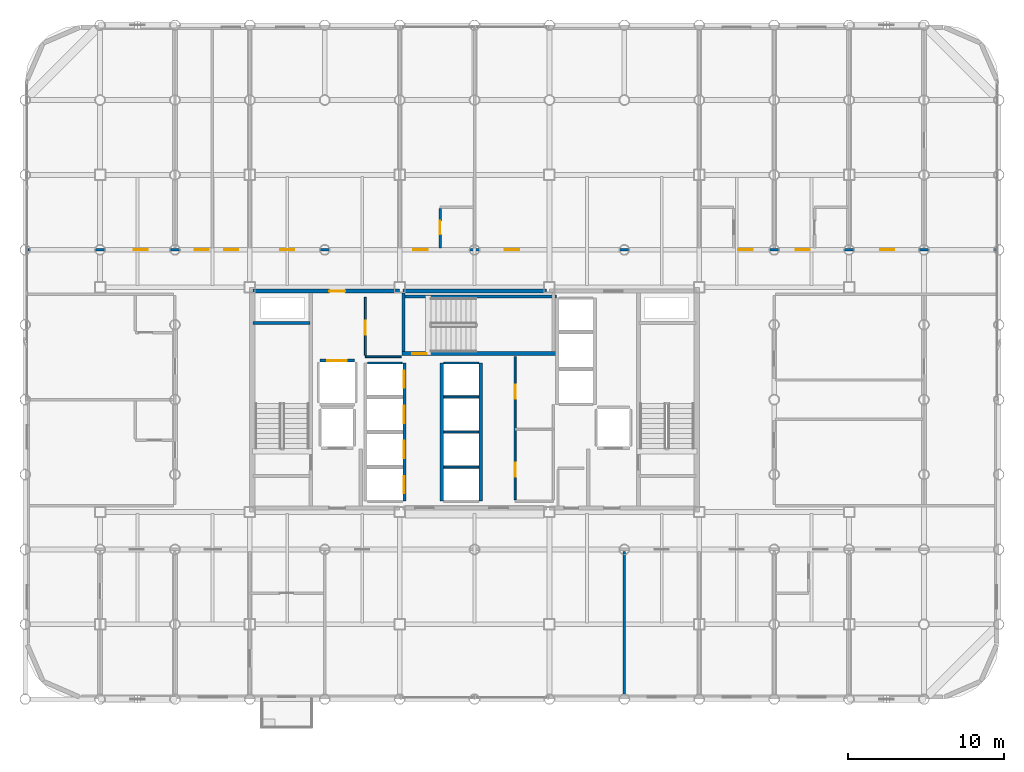
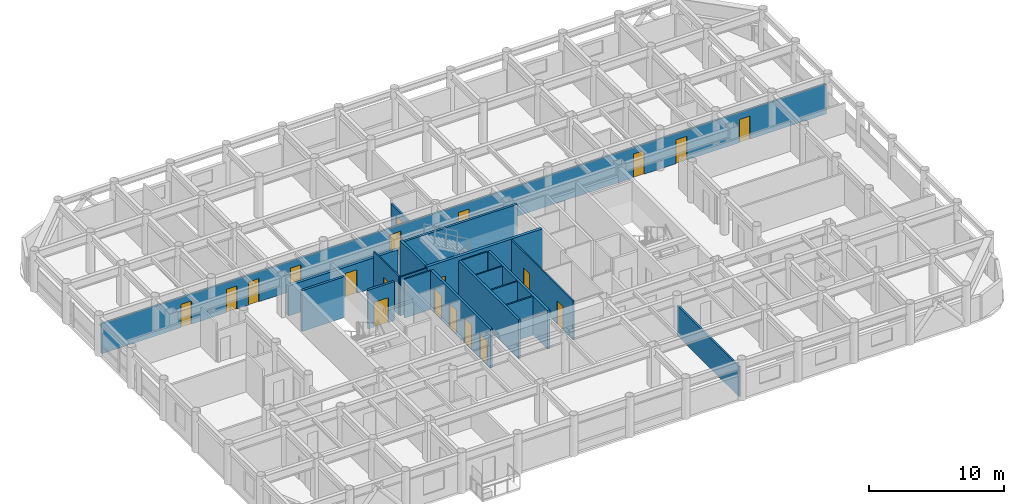
# One storey, part 18 of 22: 21 walls, 20 doors, 20 openings.
"""IFC4 building model written with IfcOpenShell, lengths in metres."""

from ifc_helpers import new_model, si_unit, direction, frame, frame_2d, origin, place, context, subcontext, project, spatial, rectangle, extrude, material, layer, layer_set, type_object, element, fill, save


model = new_model("IFC4")

# Units and contexts
model_context = context("Model", 3, precision=1e-05, world=origin(), true_north=direction((0.0, 1.0)))
body_context = subcontext(model_context, "Body", "Model", "MODEL_VIEW")
ifc_project = project(units=[si_unit("LENGTHUNIT", "METRE"), si_unit("AREAUNIT", "SQUARE_METRE"), si_unit("VOLUMEUNIT", "CUBIC_METRE"), si_unit("PLANEANGLEUNIT", "RADIAN"), si_unit("MASSUNIT", "GRAM", prefix="KILO")], contexts=[model_context])

# Site, building, storey
site_placement = place(None, origin())
site = spatial("IfcSite", under=ifc_project, at=site_placement, CompositionType="ELEMENT")
building_placement = place(site_placement, origin())
building = spatial("IfcBuilding", under=site, at=building_placement, Name="Kallvorn Hotel Tower", CompositionType="ELEMENT")
storey_placement = place(building_placement, frame((0.0, 0.0, 102.60009765625)))
storey = spatial("IfcBuildingStorey", under=building, at=storey_placement, Name="L24", CompositionType="ELEMENT", Elevation=102.60009765625)

# Wall, openings, doors
ifc_material_1 = material(Name="Fire-rated double-layer acoustic gypsum drywall EI 60")
ifc_layer_1 = layer(ifc_material_1, 0.159912109375)
ifc_layer_set_1 = layer_set([ifc_layer_1], Name="WL_DEMISE_160")
wall_type_1 = type_object("IfcWallType", Name="WL_DEMISE_160", PredefinedType="PARTITIONING", material=ifc_layer_set_1)
wall_1_placement = place(storey_placement, frame((-28.6298828125, 9.60009765625, 0.0), z_axis=(0.0, 0.0, 1.0), x_axis=(1.0, 0.0, 0.0)))
wall_1 = element("IfcWall", 1, at=wall_1_placement, inside=storey, type_object=wall_type_1, Name="L24 Suite 2405 Standard King Room Partition", PredefinedType="PARTITIONING", context=body_context, shape_type="SweptSolid", body=[
    extrude(rectangle(XDim=62.059814453125, YDim=0.159912109375, at=frame_2d((31.02978515625, 0.0))), origin(), (0.0, 0.0, 1.0), 2.719970703125),
])
opening_1_placement = place(wall_1_placement, frame((6.799560546875, 0.0, 0.0)))
opening_1 = element("IfcOpeningElement", 2, at=opening_1_placement, cuts=wall_1, Name="Opening SVD1", PredefinedType="OPENING", context=body_context, shape_type="SweptSolid", body=[
    extrude(rectangle(XDim=0.89990234375, YDim=2.10009765625, at=frame_2d((0.449951171875, 1.050048828125))), frame((0.0, 0.094970703125, 0.0), z_axis=(0.0, -1.0, 0.0), x_axis=(1.0, 0.0, 0.0)), (0.0, 0.0, 1.0), 0.18994140625),
])
opening_2_placement = place(wall_1_placement, frame((54.6201171875, 0.0, 0.0)))
opening_2 = element("IfcOpeningElement", 3, at=opening_2_placement, cuts=wall_1, Name="Opening SVD1", PredefinedType="OPENING", context=body_context, shape_type="SweptSolid", body=[
    extrude(rectangle(XDim=0.89990234375, YDim=2.10009765625, at=frame_2d((0.449951171875, 1.050048828125))), frame((0.0, 0.094970703125, 0.0), z_axis=(0.0, -1.0, 0.0), x_axis=(1.0, 0.0, 0.0)), (0.0, 0.0, 1.0), 0.18994140625),
])
opening_3_placement = place(wall_1_placement, frame((10.68994140625, 0.0, 0.0)))
opening_3 = element("IfcOpeningElement", 4, at=opening_3_placement, cuts=wall_1, Name="Opening SVD1", PredefinedType="OPENING", context=body_context, shape_type="SweptSolid", body=[
    extrude(rectangle(XDim=0.89990234375, YDim=2.10009765625, at=frame_2d((0.449951171875, 1.050048828125))), frame((0.0, 0.094970703125, 0.0), z_axis=(0.0, -1.0, 0.0), x_axis=(1.0, 0.0, 0.0)), (0.0, 0.0, 1.0), 0.18994140625),
])
opening_4_placement = place(wall_1_placement, frame((12.580078125, 0.0, 0.0)))
opening_4 = element("IfcOpeningElement", 5, at=opening_4_placement, cuts=wall_1, Name="Opening SVD1", PredefinedType="OPENING", context=body_context, shape_type="SweptSolid", body=[
    extrude(rectangle(XDim=0.89990234375, YDim=2.10009765625, at=frame_2d((0.449951171875, 1.050048828125))), frame((0.0, 0.094970703125, 0.0), z_axis=(0.0, -1.0, 0.0), x_axis=(1.0, 0.0, 0.0)), (0.0, 0.0, 1.0), 0.18994140625),
])
opening_5_placement = place(wall_1_placement, frame((16.179931640625, 0.0, 0.0)))
opening_5 = element("IfcOpeningElement", 6, at=opening_5_placement, cuts=wall_1, Name="Opening SVD1", PredefinedType="OPENING", context=body_context, shape_type="SweptSolid", body=[
    extrude(rectangle(XDim=0.89990234375, YDim=2.10009765625, at=frame_2d((0.449951171875, 1.050048828125))), frame((0.0, 0.094970703125, 0.0), z_axis=(0.0, -1.0, 0.0), x_axis=(1.0, 0.0, 0.0)), (0.0, 0.0, 1.0), 0.18994140625),
])
opening_6_placement = place(wall_1_placement, frame((24.705078125, 0.0, 0.0)))
opening_6 = element("IfcOpeningElement", 7, at=opening_6_placement, cuts=wall_1, Name="Opening GD1", PredefinedType="OPENING", context=body_context, shape_type="SweptSolid", body=[
    extrude(rectangle(XDim=0.919921875, YDim=2.14990234375, at=frame_2d((0.4599609375, 1.074951171875))), frame((0.0, 0.094970703125, 0.0), z_axis=(0.0, -1.0, 0.0), x_axis=(1.0, 0.0, 0.0)), (0.0, 0.0, 1.0), 0.18994140625),
])
opening_7_placement = place(wall_1_placement, frame((30.580078125, 0.0, 0.0)))
opening_7 = element("IfcOpeningElement", 8, at=opening_7_placement, cuts=wall_1, Name="Opening SVD1", PredefinedType="OPENING", context=body_context, shape_type="SweptSolid", body=[
    extrude(rectangle(XDim=0.89990234375, YDim=2.10009765625, at=frame_2d((0.449951171875, 1.050048828125))), frame((0.0, 0.094970703125, 0.0), z_axis=(0.0, -1.0, 0.0), x_axis=(1.0, 0.0, 0.0)), (0.0, 0.0, 1.0), 0.18994140625),
])
opening_8_placement = place(wall_1_placement, frame((45.5400390625, 0.0, 0.0)))
opening_8 = element("IfcOpeningElement", 9, at=opening_8_placement, cuts=wall_1, Name="Opening GD1", PredefinedType="OPENING", context=body_context, shape_type="SweptSolid", body=[
    extrude(rectangle(XDim=0.919921875, YDim=2.14990234375, at=frame_2d((0.4599609375, 1.074951171875))), frame((0.0, 0.094970703125, 0.0), z_axis=(0.0, -1.0, 0.0), x_axis=(1.0, 0.0, 0.0)), (0.0, 0.0, 1.0), 0.18994140625),
])
opening_9_placement = place(wall_1_placement, frame((49.199951171875, 0.0, 0.0)))
opening_9 = element("IfcOpeningElement", 10, at=opening_9_placement, cuts=wall_1, Name="Opening GD1", PredefinedType="OPENING", context=body_context, shape_type="SweptSolid", body=[
    extrude(rectangle(XDim=0.919921875, YDim=2.14990234375, at=frame_2d((0.4599609375, 1.074951171875))), frame((0.0, 0.094970703125, 0.0), z_axis=(0.0, -1.0, 0.0), x_axis=(1.0, 0.0, 0.0)), (0.0, 0.0, 1.0), 0.18994140625),
])
ifc_material_2 = material(Name="Solid-core walnut veneer fire-rated timber door leaf", Category="wood")
door_type_1 = type_object("IfcDoorType", Name="DR_GUEST_920x2150", OperationType="NOTDEFINED", PredefinedType="DOOR", material=ifc_material_2)
door_1_placement = place(opening_6_placement, origin())
door_1 = element("IfcDoor", 11, at=door_1_placement, inside=storey, type_object=door_type_1, Name="L24 Suite 2405 Standard King Room Door", OperationType="SINGLE_SWING_LEFT", OverallHeight=2.14990234375, OverallWidth=0.919921875, PredefinedType="DOOR", context=body_context, shape_type="SweptSolid", body=[
    extrude(rectangle(XDim=0.919921875, YDim=2.14990234375, at=frame_2d((0.4599609375, 1.074951171875))), frame((0.0, 0.02490234375, 0.0), z_axis=(0.0, -1.0, 0.0), x_axis=(1.0, 0.0, 0.0)), (0.0, 0.0, 1.0), 0.050048828125),
])
fill(opening_6, door_1)
door_2_placement = place(opening_8_placement, origin())
door_2 = element("IfcDoor", 12, at=door_2_placement, inside=storey, type_object=door_type_1, Name="L24 Suite 2406 Standard King Room Door", OperationType="SINGLE_SWING_RIGHT", OverallHeight=2.14990234375, OverallWidth=0.919921875, PredefinedType="DOOR", context=body_context, shape_type="SweptSolid", body=[
    extrude(rectangle(XDim=0.919921875, YDim=2.14990234375, at=frame_2d((0.4599609375, 1.074951171875))), frame((0.0, 0.02490234375, 0.0), z_axis=(0.0, -1.0, 0.0), x_axis=(1.0, 0.0, 0.0)), (0.0, 0.0, 1.0), 0.050048828125),
])
fill(opening_8, door_2)
door_3_placement = place(opening_9_placement, origin())
door_3 = element("IfcDoor", 13, at=door_3_placement, inside=storey, type_object=door_type_1, Name="L24 Suite 2407 Standard King Room Door", OperationType="SINGLE_SWING_LEFT", OverallHeight=2.14990234375, OverallWidth=0.919921875, PredefinedType="DOOR", context=body_context, shape_type="SweptSolid", body=[
    extrude(rectangle(XDim=0.919921875, YDim=2.14990234375, at=frame_2d((0.4599609375, 1.074951171875))), frame((0.0, 0.02490234375, 0.0), z_axis=(0.0, -1.0, 0.0), x_axis=(1.0, 0.0, 0.0)), (0.0, 0.0, 1.0), 0.050048828125),
])
fill(opening_9, door_3)
ifc_material_3 = material(Name="Galvanised painted steel fire-rated door assembly", Category="steel")
door_type_2 = type_object("IfcDoorType", Name="DR_SERV_900x2100", OperationType="NOTDEFINED", PredefinedType="DOOR", material=ifc_material_3)
door_4_placement = place(opening_1_placement, origin())
door_4 = element("IfcDoor", 14, at=door_4_placement, inside=storey, type_object=door_type_2, Name="L24 L24 North-West Fitness Gymnasium Door", OperationType="SINGLE_SWING_RIGHT", OverallHeight=2.10009765625, OverallWidth=0.89990234375, PredefinedType="DOOR", context=body_context, shape_type="SweptSolid", body=[
    extrude(rectangle(XDim=0.89990234375, YDim=2.10009765625, at=frame_2d((0.449951171875, 1.050048828125))), frame((0.0, 0.02490234375, 0.0), z_axis=(0.0, -1.0, 0.0), x_axis=(1.0, 0.0, 0.0)), (0.0, 0.0, 1.0), 0.050048828125),
])
fill(opening_1, door_4)
door_5_placement = place(opening_2_placement, origin())
door_5 = element("IfcDoor", 15, at=door_5_placement, inside=storey, type_object=door_type_2, Name="L24 L24 North-East Reading Club A Door", OperationType="SINGLE_SWING_LEFT", OverallHeight=2.10009765625, OverallWidth=0.89990234375, PredefinedType="DOOR", context=body_context, shape_type="SweptSolid", body=[
    extrude(rectangle(XDim=0.89990234375, YDim=2.10009765625, at=frame_2d((0.449951171875, 1.050048828125))), frame((0.0, 0.02490234375, 0.0), z_axis=(0.0, -1.0, 0.0), x_axis=(1.0, 0.0, 0.0)), (0.0, 0.0, 1.0), 0.050048828125),
])
fill(opening_2, door_5)
door_6_placement = place(opening_3_placement, origin())
door_6 = element("IfcDoor", 16, at=door_6_placement, inside=storey, type_object=door_type_2, Name="L24 Housekeeping and Linen Room Door", OperationType="SINGLE_SWING_LEFT", OverallHeight=2.10009765625, OverallWidth=0.89990234375, PredefinedType="DOOR", context=body_context, shape_type="SweptSolid", body=[
    extrude(rectangle(XDim=0.89990234375, YDim=2.10009765625, at=frame_2d((0.449951171875, 1.050048828125))), frame((0.0, 0.02490234375, 0.0), z_axis=(0.0, -1.0, 0.0), x_axis=(1.0, 0.0, 0.0)), (0.0, 0.0, 1.0), 0.050048828125),
])
fill(opening_3, door_6)
door_7_placement = place(opening_4_placement, origin())
door_7 = element("IfcDoor", 17, at=door_7_placement, inside=storey, type_object=door_type_2, Name="L24 Guest Tea and Refreshment Bar Door", OperationType="SINGLE_SWING_LEFT", OverallHeight=2.10009765625, OverallWidth=0.89990234375, PredefinedType="DOOR", context=body_context, shape_type="SweptSolid", body=[
    extrude(rectangle(XDim=0.89990234375, YDim=2.10009765625, at=frame_2d((0.449951171875, 1.050048828125))), frame((0.0, 0.02490234375, 0.0), z_axis=(0.0, -1.0, 0.0), x_axis=(1.0, 0.0, 0.0)), (0.0, 0.0, 1.0), 0.050048828125),
])
fill(opening_4, door_7)
door_8_placement = place(opening_5_placement, origin())
door_8 = element("IfcDoor", 18, at=door_8_placement, inside=storey, type_object=door_type_2, Name="L24 L24 Curated Emerald Craft Retail Boutique 2 Door", OperationType="SINGLE_SWING_RIGHT", OverallHeight=2.10009765625, OverallWidth=0.89990234375, PredefinedType="DOOR", context=body_context, shape_type="SweptSolid", body=[
    extrude(rectangle(XDim=0.89990234375, YDim=2.10009765625, at=frame_2d((0.449951171875, 1.050048828125))), frame((0.0, 0.02490234375, 0.0), z_axis=(0.0, -1.0, 0.0), x_axis=(1.0, 0.0, 0.0)), (0.0, 0.0, 1.0), 0.050048828125),
])
fill(opening_5, door_8)
door_9_placement = place(opening_7_placement, origin())
door_9 = element("IfcDoor", 19, at=door_9_placement, inside=storey, type_object=door_type_2, Name="L24 L24 Panoramic Club Sky Lounge 4 Door", OperationType="SINGLE_SWING_LEFT", OverallHeight=2.10009765625, OverallWidth=0.89990234375, PredefinedType="DOOR", context=body_context, shape_type="SweptSolid", body=[
    extrude(rectangle(XDim=0.89990234375, YDim=2.10009765625, at=frame_2d((0.449951171875, 1.050048828125))), frame((0.0, 0.02490234375, 0.0), z_axis=(0.0, -1.0, 0.0), x_axis=(1.0, 0.0, 0.0)), (0.0, 0.0, 1.0), 0.050048828125),
])
fill(opening_7, door_9)

# Wall, opening, door
wall_2_placement = place(storey_placement, frame((-2.2099609375, 9.719970703125, 0.0), z_axis=(0.0, 0.0, 1.0), x_axis=(0.0, 1.0, 0.0)))
wall_2 = element("IfcWall", 20, at=wall_2_placement, inside=storey, type_object=wall_type_1, Name="L24 Suite 2405 Standard King Room Partition", PredefinedType="PARTITIONING", context=body_context, shape_type="SweptSolid", body=[
    extrude(rectangle(XDim=2.51513671875, YDim=0.159912109375, at=frame_2d((1.257568359375, 0.0))), origin(), (0.0, 0.0, 1.0), 2.719970703125),
])
opening_10_placement = place(wall_2_placement, frame((0.8701171875, 0.0, 0.0)))
opening_10 = element("IfcOpeningElement", 21, at=opening_10_placement, cuts=wall_2, Name="Opening BD-I", PredefinedType="OPENING", context=body_context, shape_type="SweptSolid", body=[
    extrude(rectangle(XDim=0.860107421875, YDim=2.10009765625, at=frame_2d((0.43017578125, 1.050048828125))), frame((0.0, 0.094970703125, 0.0), z_axis=(0.0, -1.0, 0.0), x_axis=(1.0, 0.0, 0.0)), (0.0, 0.0, 1.0), 0.18994140625),
])
ifc_material_4 = material(Name="Solid-core walnut veneer fire-rated timber door leaf", Category="wood")
door_type_3 = type_object("IfcDoorType", Name="DR_BATH_860x2100", OperationType="NOTDEFINED", PredefinedType="DOOR", material=ifc_material_4)
door_10_placement = place(opening_10_placement, origin())
door_10 = element("IfcDoor", 22, at=door_10_placement, inside=storey, type_object=door_type_3, Name="L24 Suite 2405 En-Suite Bathroom Door", OperationType="SINGLE_SWING_RIGHT", OverallHeight=2.10009765625, OverallWidth=0.860107421875, PredefinedType="DOOR", context=body_context, shape_type="SweptSolid", body=[
    extrude(rectangle(XDim=0.860107421875, YDim=2.10009765625, at=frame_2d((0.43017578125, 1.050048828125))), frame((0.0, 0.02490234375, 0.0), z_axis=(0.0, -1.0, 0.0), x_axis=(1.0, 0.0, 0.0)), (0.0, 0.0, 1.0), 0.050048828125),
])
fill(opening_10, door_10)

# Walls
ifc_material_5 = material(Name="Concrete C40/50", Category="concrete")
ifc_layer_2 = layer(ifc_material_5, 0.199951171875)
ifc_layer_set_2 = layer_set([ifc_layer_2], Name="WL_HOIST_200")
wall_type_2 = type_object("IfcWallType", Name="WL_HOIST_200", PredefinedType="SOLIDWALL", material=ifc_layer_set_2)
wall_3_placement = place(storey_placement, frame((-14.199951171875, 4.89990234375, -0.18017578125), z_axis=(0.0, 0.0, 1.0), x_axis=(1.0, 0.0, 0.0)))
element("IfcWall", 23, at=wall_3_placement, inside=storey, type_object=wall_type_2, Name="L24 Stair ST1 North Wall", PredefinedType="SOLIDWALL", context=body_context, shape_type="SweptSolid", body=[
    extrude(rectangle(XDim=3.64990234375, YDim=0.199951171875, at=frame_2d((1.824951171875, 0.0))), origin(), (0.0, 0.0, 1.0), 3.7001953125),
])
wall_4_placement = place(storey_placement, frame((-4.64990234375, 6.610107421875, -0.18017578125), z_axis=(0.0, 0.0, 1.0), x_axis=(1.0, 0.0, 0.0)))
element("IfcWall", 24, at=wall_4_placement, inside=storey, type_object=wall_type_2, Name="L24 Stair ST3 Shaft North Wall", PredefinedType="SOLIDWALL", context=body_context, shape_type="SweptSolid", body=[
    extrude(rectangle(XDim=9.89990234375, YDim=0.199951171875, at=frame_2d((4.949951171875, 0.0))), origin(), (0.0, 0.0, 1.0), 3.7001953125),
])
wall_5_placement = place(storey_placement, frame((-4.550048828125, 3.080078125, -0.18017578125), z_axis=(0.0, 0.0, 1.0), x_axis=(0.0, 1.0, 0.0)))
element("IfcWall", 25, at=wall_5_placement, inside=storey, type_object=wall_type_2, Name="L24 Stair ST3 West Wall", PredefinedType="SOLIDWALL", context=body_context, shape_type="SweptSolid", body=[
    extrude(rectangle(XDim=3.739990234375, YDim=0.199951171875, at=frame_2d((1.8701171875, 0.0))), origin(), (0.0, 0.0, 1.0), 3.7001953125),
])

# Wall, openings, doors
wall_6_placement = place(storey_placement, frame((-4.5, -6.5, 0.0), z_axis=(0.0, 0.0, 1.0), x_axis=(0.0, 1.0, 0.0)))
wall_6 = element("IfcWall", 26, at=wall_6_placement, inside=storey, type_object=wall_type_2, Name="L24 Lift Bank B1 Landing Wall", PredefinedType="SOLIDWALL", context=body_context, shape_type="SweptSolid", body=[
    extrude(rectangle(XDim=8.85009765625, YDim=0.199951171875, at=frame_2d((4.425048828125, 0.0))), origin(), (0.0, 0.0, 1.0), 3.52001953125),
])
opening_11_placement = place(wall_6_placement, frame((0.5, 0.0, 0.0)))
opening_11 = element("IfcOpeningElement", 27, at=opening_11_placement, cuts=wall_6, Name="Opening LD-PL-01", PredefinedType="OPENING", context=body_context, shape_type="SweptSolid", body=[
    extrude(rectangle(XDim=1.10009765625, YDim=2.199951171875, at=frame_2d((0.550048828125, 1.10009765625))), frame((0.0, 0.114990234375, 0.0), z_axis=(0.0, -1.0, 0.0), x_axis=(1.0, 0.0, 0.0)), (0.0, 0.0, 1.0), 0.22998046875),
])
opening_12_placement = place(wall_6_placement, frame((2.75, 0.0, 0.0)))
opening_12 = element("IfcOpeningElement", 28, at=opening_12_placement, cuts=wall_6, Name="Opening LD-PL-02", PredefinedType="OPENING", context=body_context, shape_type="SweptSolid", body=[
    extrude(rectangle(XDim=1.10009765625, YDim=2.199951171875, at=frame_2d((0.550048828125, 1.10009765625))), frame((0.0, 0.114990234375, 0.0), z_axis=(0.0, -1.0, 0.0), x_axis=(1.0, 0.0, 0.0)), (0.0, 0.0, 1.0), 0.22998046875),
])
opening_13_placement = place(wall_6_placement, frame((5.0, 0.0, 0.0)))
opening_13 = element("IfcOpeningElement", 29, at=opening_13_placement, cuts=wall_6, Name="Opening LD-PL-03", PredefinedType="OPENING", context=body_context, shape_type="SweptSolid", body=[
    extrude(rectangle(XDim=1.10009765625, YDim=2.199951171875, at=frame_2d((0.550048828125, 1.10009765625))), frame((0.0, 0.114990234375, 0.0), z_axis=(0.0, -1.0, 0.0), x_axis=(1.0, 0.0, 0.0)), (0.0, 0.0, 1.0), 0.22998046875),
])
opening_14_placement = place(wall_6_placement, frame((7.25, 0.0, 0.0)))
opening_14 = element("IfcOpeningElement", 30, at=opening_14_placement, cuts=wall_6, Name="Opening LD-PL-04", PredefinedType="OPENING", context=body_context, shape_type="SweptSolid", body=[
    extrude(rectangle(XDim=1.10009765625, YDim=2.199951171875, at=frame_2d((0.550048828125, 1.10009765625))), frame((0.0, 0.114990234375, 0.0), z_axis=(0.0, -1.0, 0.0), x_axis=(1.0, 0.0, 0.0)), (0.0, 0.0, 1.0), 0.22998046875),
])
ifc_material_6 = material(Name="Brushed stainless-steel automatic sliding lift landing door", Category="steel")
door_type_4 = type_object("IfcDoorType", Name="LD_PASS_1100x2200", OperationType="SLIDING_TO_LEFT", PredefinedType="DOOR", material=ifc_material_6)
door_11_placement = place(opening_11_placement, origin())
door_11 = element("IfcDoor", 31, at=door_11_placement, inside=storey, type_object=door_type_4, Name="L24 Lift Landing Sliding Door LD-PL-01", OperationType="SLIDING_TO_LEFT", OverallHeight=2.199951171875, OverallWidth=1.10009765625, PredefinedType="DOOR", context=body_context, shape_type="SweptSolid", body=[
    extrude(rectangle(XDim=1.10009765625, YDim=2.199951171875, at=frame_2d((0.550048828125, 1.10009765625))), frame((0.0, 0.02490234375, 0.0), z_axis=(0.0, -1.0, 0.0), x_axis=(1.0, 0.0, 0.0)), (0.0, 0.0, 1.0), 0.050048828125),
])
fill(opening_11, door_11)
door_12_placement = place(opening_12_placement, origin())
door_12 = element("IfcDoor", 32, at=door_12_placement, inside=storey, type_object=door_type_4, Name="L24 Lift Landing Sliding Door LD-PL-02", OperationType="SLIDING_TO_LEFT", OverallHeight=2.199951171875, OverallWidth=1.10009765625, PredefinedType="DOOR", context=body_context, shape_type="SweptSolid", body=[
    extrude(rectangle(XDim=1.10009765625, YDim=2.199951171875, at=frame_2d((0.550048828125, 1.10009765625))), frame((0.0, 0.02490234375, 0.0), z_axis=(0.0, -1.0, 0.0), x_axis=(1.0, 0.0, 0.0)), (0.0, 0.0, 1.0), 0.050048828125),
])
fill(opening_12, door_12)
door_13_placement = place(opening_13_placement, origin())
door_13 = element("IfcDoor", 33, at=door_13_placement, inside=storey, type_object=door_type_4, Name="L24 Lift Landing Sliding Door LD-PL-03", OperationType="SLIDING_TO_LEFT", OverallHeight=2.199951171875, OverallWidth=1.10009765625, PredefinedType="DOOR", context=body_context, shape_type="SweptSolid", body=[
    extrude(rectangle(XDim=1.10009765625, YDim=2.199951171875, at=frame_2d((0.550048828125, 1.10009765625))), frame((0.0, 0.02490234375, 0.0), z_axis=(0.0, -1.0, 0.0), x_axis=(1.0, 0.0, 0.0)), (0.0, 0.0, 1.0), 0.050048828125),
])
fill(opening_13, door_13)
door_14_placement = place(opening_14_placement, origin())
door_14 = element("IfcDoor", 34, at=door_14_placement, inside=storey, type_object=door_type_4, Name="L24 Lift Landing Sliding Door LD-PL-04", OperationType="SLIDING_TO_LEFT", OverallHeight=2.199951171875, OverallWidth=1.10009765625, PredefinedType="DOOR", context=body_context, shape_type="SweptSolid", body=[
    extrude(rectangle(XDim=1.10009765625, YDim=2.199951171875, at=frame_2d((0.550048828125, 1.10009765625))), frame((0.0, 0.02490234375, 0.0), z_axis=(0.0, -1.0, 0.0), x_axis=(1.0, 0.0, 0.0)), (0.0, 0.0, 1.0), 0.050048828125),
])
fill(opening_14, door_14)

# Walls
for number, where, z_axis, x_axis, name in (
    (35, (-2.10009765625, -6.5, 0.0), (0.0, 0.0, 1.0), (0.0, 1.0, 0.0), "L24 Lift Bank B2 Landing Wall"),
    (36, (0.39990234375, -6.5, 0.0), (0.0, 0.0, 1.0), (0.0, 1.0, 0.0), "L24 Lift Bank B2 Rear Shaft Wall"),
):
    element("IfcWall", number, at=place(storey_placement, frame(where, z_axis=z_axis, x_axis=x_axis)), inside=storey, type_object=wall_type_2, Name=name, PredefinedType="SOLIDWALL", context=body_context, shape_type="SweptSolid", body=[
        extrude(rectangle(XDim=8.85009765625, YDim=0.199951171875, at=frame_2d((4.425048828125, 0.0))), origin(), (0.0, 0.0, 1.0), 3.52001953125),
    ])

# Wall, opening, door
wall_7_placement = place(storey_placement, frame((-9.919921875, 2.5, 0.0), z_axis=(0.0, 0.0, 1.0), x_axis=(1.0, 0.0, 0.0)))
wall_7 = element("IfcWall", 37, at=wall_7_placement, inside=storey, type_object=wall_type_2, Name="L24 SV-01 Landing Wall", PredefinedType="SOLIDWALL", context=body_context, shape_type="SweptSolid", body=[
    extrude(rectangle(XDim=2.239990234375, YDim=0.199951171875, at=frame_2d((1.1201171875, 0.0))), origin(), (0.0, 0.0, 1.0), 3.52001953125),
])
opening_15_placement = place(wall_7_placement, frame((0.4951171875, 0.0, 0.0)))
opening_15 = element("IfcOpeningElement", 38, at=opening_15_placement, cuts=wall_7, Name="Opening LD-SV-01", PredefinedType="OPENING", context=body_context, shape_type="SweptSolid", body=[
    extrude(rectangle(XDim=1.25, YDim=2.25, at=frame_2d((0.625, 1.125))), frame((0.0, 0.114990234375, 0.0), z_axis=(0.0, -1.0, 0.0), x_axis=(1.0, 0.0, 0.0)), (0.0, 0.0, 1.0), 0.22998046875),
])
ifc_material_7 = material(Name="Brushed stainless-steel automatic sliding lift landing door", Category="steel")
door_type_5 = type_object("IfcDoorType", Name="LD_SERV_1250x2250", OperationType="SLIDING_TO_LEFT", PredefinedType="DOOR", material=ifc_material_7)
door_15_placement = place(opening_15_placement, origin())
door_15 = element("IfcDoor", 39, at=door_15_placement, inside=storey, type_object=door_type_5, Name="L24 Lift Landing Sliding Door LD-SV-01", OperationType="SLIDING_TO_LEFT", OverallHeight=2.25, OverallWidth=1.25, PredefinedType="DOOR", context=body_context, shape_type="SweptSolid", body=[
    extrude(rectangle(XDim=1.25, YDim=2.25, at=frame_2d((0.625, 1.125))), frame((0.0, 0.02490234375, 0.0), z_axis=(0.0, -1.0, 0.0), x_axis=(1.0, 0.0, 0.0)), (0.0, 0.0, 1.0), 0.050048828125),
])
fill(opening_15, door_15)

# Walls
ifc_material_8 = material(Name="Fire-rated double-layer acoustic gypsum drywall EI 60")
ifc_layer_3 = layer(ifc_material_8, 0.1201171875)
ifc_layer_set_3 = layer_set([ifc_layer_3], Name="WL_INT_120")
wall_type_3 = type_object("IfcWallType", Name="WL_INT_120", PredefinedType="PARTITIONING", material=ifc_layer_set_3)
wall_8_placement = place(storey_placement, frame((-6.860107421875, 2.35009765625, 0.0), z_axis=(0.0, 0.0, 1.0), x_axis=(1.0, 0.0, 0.0)))
element("IfcWall", 40, at=wall_8_placement, inside=storey, type_object=wall_type_3, Name="L24 PL-04 Hoistway Divider", PredefinedType="PARTITIONING", context=body_context, shape_type="SweptSolid", body=[
    extrude(rectangle(XDim=2.22021484375, YDim=0.1201171875, at=frame_2d((1.110107421875, 0.0))), origin(), (0.0, 0.0, 1.0), 3.52001953125),
])
for number, where, z_axis, x_axis, name in (
    (41, (-1.9599609375, -4.324951171875, 0.0), (0.0, 0.0, 1.0), (1.0, 0.0, 0.0), "L24 PL-05 Hoistway Divider"),
    (42, (-1.9599609375, -2.074951171875, 0.0), (0.0, 0.0, 1.0), (1.0, 0.0, 0.0), "L24 PL-06 Hoistway Divider"),
    (43, (-1.9599609375, 0.175048828125, 0.0), (0.0, 0.0, 1.0), (1.0, 0.0, 0.0), "L24 PL-07 Hoistway Divider"),
    (44, (-1.9599609375, 2.35009765625, 0.0), (0.0, 0.0, 1.0), (1.0, 0.0, 0.0), "L24 PL-08 Hoistway Divider"),
):
    element("IfcWall", number, at=place(storey_placement, frame(where, z_axis=z_axis, x_axis=x_axis)), inside=storey, type_object=wall_type_3, Name=name, PredefinedType="PARTITIONING", context=body_context, shape_type="SweptSolid", body=[
        extrude(rectangle(XDim=2.219970703125, YDim=0.1201171875, at=frame_2d((1.10986328125, 0.0))), origin(), (0.0, 0.0, 1.0), 3.52001953125),
    ])
wall_9_placement = place(storey_placement, frame((-7.0, 2.75, 0.0), z_axis=(0.0, 0.0, 1.0), x_axis=(1.0, 0.0, 0.0)))
element("IfcWall", 45, at=wall_9_placement, inside=storey, type_object=wall_type_3, Name="L24 Core Cleaners and Janitor Store Partition", PredefinedType="PARTITIONING", context=body_context, shape_type="SweptSolid", body=[
    extrude(rectangle(XDim=2.31005859375, YDim=0.1201171875, at=frame_2d((1.155029296875, 0.0))), origin(), (0.0, 0.0, 1.0), 3.52001953125),
])

# Wall, opening, door
wall_10_placement = place(storey_placement, frame((-7.0, 2.8349609375, 0.0), z_axis=(0.0, 0.0, 1.0), x_axis=(0.0, 1.0, 0.0)))
wall_10 = element("IfcWall", 46, at=wall_10_placement, inside=storey, type_object=wall_type_3, Name="L24 Core Cleaners and Janitor Store Partition", PredefinedType="PARTITIONING", context=body_context, shape_type="SweptSolid", body=[
    extrude(rectangle(XDim=3.715087890625, YDim=0.1201171875, at=frame_2d((1.857421875, 0.0))), origin(), (0.0, 0.0, 1.0), 3.52001953125),
])
opening_16_placement = place(wall_10_placement, frame((1.31494140625, 0.0, 0.0)))
opening_16 = element("IfcOpeningElement", 47, at=opening_16_placement, cuts=wall_10, Name="Opening SVD1", PredefinedType="OPENING", context=body_context, shape_type="SweptSolid", body=[
    extrude(rectangle(XDim=0.89990234375, YDim=2.10009765625, at=frame_2d((0.449951171875, 1.050048828125))), frame((0.0, 0.074951171875, 0.0), z_axis=(0.0, -1.0, 0.0), x_axis=(1.0, 0.0, 0.0)), (0.0, 0.0, 1.0), 0.150146484375),
])
door_16_placement = place(opening_16_placement, origin())
door_16 = element("IfcDoor", 48, at=door_16_placement, inside=storey, type_object=door_type_2, Name="L24 Core Cleaners and Janitor Store Door", OperationType="SINGLE_SWING_LEFT", OverallHeight=2.10009765625, OverallWidth=0.89990234375, PredefinedType="DOOR", context=body_context, shape_type="SweptSolid", body=[
    extrude(rectangle(XDim=0.89990234375, YDim=2.10009765625, at=frame_2d((0.449951171875, 1.050048828125))), frame((0.0, 0.02490234375, 0.0), z_axis=(0.0, -1.0, 0.0), x_axis=(1.0, 0.0, 0.0)), (0.0, 0.0, 1.0), 0.050048828125),
])
fill(opening_16, door_16)

# Wall, openings, doors
wall_11_placement = place(storey_placement, frame((2.60009765625, -6.4150390625, 0.0), z_axis=(0.0, 0.0, 1.0), x_axis=(0.0, 1.0, 0.0)))
wall_11 = element("IfcWall", 49, at=wall_11_placement, inside=storey, type_object=wall_type_3, Name="L24 East Core Amenities and Minibar Store Partition", PredefinedType="PARTITIONING", context=body_context, shape_type="SweptSolid", body=[
    extrude(rectangle(XDim=9.1650390625, YDim=0.1201171875, at=frame_2d((4.58251953125, 0.0))), origin(), (0.0, 0.0, 1.0), 3.52001953125),
])
opening_17_placement = place(wall_11_placement, frame((1.465087890625, 0.0, 0.0)))
opening_17 = element("IfcOpeningElement", 50, at=opening_17_placement, cuts=wall_11, Name="Opening SVD1", PredefinedType="OPENING", context=body_context, shape_type="SweptSolid", body=[
    extrude(rectangle(XDim=0.89990234375, YDim=2.10009765625, at=frame_2d((0.449951171875, 1.050048828125))), frame((0.0, 0.074951171875, 0.0), z_axis=(0.0, -1.0, 0.0), x_axis=(1.0, 0.0, 0.0)), (0.0, 0.0, 1.0), 0.150146484375),
])
opening_18_placement = place(wall_11_placement, frame((6.465087890625, 0.0, 0.0)))
opening_18 = element("IfcOpeningElement", 51, at=opening_18_placement, cuts=wall_11, Name="Opening SVD1", PredefinedType="OPENING", context=body_context, shape_type="SweptSolid", body=[
    extrude(rectangle(XDim=0.89990234375, YDim=2.10009765625, at=frame_2d((0.449951171875, 1.050048828125))), frame((0.0, 0.074951171875, 0.0), z_axis=(0.0, -1.0, 0.0), x_axis=(1.0, 0.0, 0.0)), (0.0, 0.0, 1.0), 0.150146484375),
])
door_17_placement = place(opening_17_placement, origin())
door_17 = element("IfcDoor", 52, at=door_17_placement, inside=storey, type_object=door_type_2, Name="L24 East Core Amenities and Minibar Store Door", OperationType="SINGLE_SWING_LEFT", OverallHeight=2.10009765625, OverallWidth=0.89990234375, PredefinedType="DOOR", context=body_context, shape_type="SweptSolid", body=[
    extrude(rectangle(XDim=0.89990234375, YDim=2.10009765625, at=frame_2d((0.449951171875, 1.050048828125))), frame((0.0, 0.02490234375, 0.0), z_axis=(0.0, -1.0, 0.0), x_axis=(1.0, 0.0, 0.0)), (0.0, 0.0, 1.0), 0.050048828125),
])
fill(opening_17, door_17)
door_18_placement = place(opening_18_placement, origin())
door_18 = element("IfcDoor", 53, at=door_18_placement, inside=storey, type_object=door_type_2, Name="L24 East Core Cleaners and Janitor Room Door", OperationType="SINGLE_SWING_LEFT", OverallHeight=2.10009765625, OverallWidth=0.89990234375, PredefinedType="DOOR", context=body_context, shape_type="SweptSolid", body=[
    extrude(rectangle(XDim=0.89990234375, YDim=2.10009765625, at=frame_2d((0.449951171875, 1.050048828125))), frame((0.0, 0.02490234375, 0.0), z_axis=(0.0, -1.0, 0.0), x_axis=(1.0, 0.0, 0.0)), (0.0, 0.0, 1.0), 0.050048828125),
])
fill(opening_18, door_18)

# Wall
ifc_material_9 = material(Name="Fire-rated double-layer acoustic gypsum drywall EI 60")
ifc_layer_4 = layer(ifc_material_9, 0.14990234375)
ifc_layer_set_4 = layer_set([ifc_layer_4], Name="WL_PART_150")
wall_type_4 = type_object("IfcWallType", Name="WL_PART_150", PredefinedType="PARTITIONING", material=ifc_layer_set_4)
wall_12_placement = place(storey_placement, frame((9.60009765625, -18.909912109375, 0.0), z_axis=(0.0, 0.0, 1.0), x_axis=(0.0, 1.0, 0.0)))
element("IfcWall", 54, at=wall_12_placement, inside=storey, type_object=wall_type_4, Name="L24 L24 Panorama Banquet Event Hall 2 Partition", PredefinedType="PARTITIONING", context=body_context, shape_type="SweptSolid", body=[
    extrude(rectangle(XDim=9.18994140625, YDim=0.14990234375, at=frame_2d((4.594970703125, 0.0))), origin(), (0.0, 0.0, 1.0), 2.719970703125),
])

# Wall, opening, door
ifc_material_10 = material(Name="Concrete C40/50", Category="concrete")
ifc_layer_5 = layer(ifc_material_10, 0.25)
ifc_layer_set_5 = layer_set([ifc_layer_5], Name="WL_SHAFT_250")
wall_type_5 = type_object("IfcWallType", Name="WL_SHAFT_250", PredefinedType="SOLIDWALL", material=ifc_layer_set_5)
wall_13_placement = place(storey_placement, frame((-14.199951171875, 6.949951171875, 0.0), z_axis=(0.0, 0.0, 1.0), x_axis=(1.0, 0.0, 0.0)))
wall_13 = element("IfcWall", 55, at=wall_13_placement, inside=storey, type_object=wall_type_5, Name="L24 Core North-West Wall", PredefinedType="SOLIDWALL", context=body_context, shape_type="SweptSolid", body=[
    extrude(rectangle(XDim=9.39990234375, YDim=0.25, at=frame_2d((4.699951171875, 0.0))), origin(), (0.0, 0.0, 1.0), 2.719970703125),
])
opening_19_placement = place(wall_13_placement, frame((4.89990234375, 0.0, 0.0)))
opening_19 = element("IfcOpeningElement", 56, at=opening_19_placement, cuts=wall_13, Name="Opening FD1", PredefinedType="OPENING", context=body_context, shape_type="SweptSolid", body=[
    extrude(rectangle(XDim=1.0, YDim=2.14990234375, at=frame_2d((0.5, 1.074951171875))), frame((0.0, 0.139892578125, 0.0), z_axis=(0.0, -1.0, 0.0), x_axis=(1.0, 0.0, 0.0)), (0.0, 0.0, 1.0), 0.280029296875),
])
ifc_material_11 = material(Name="Galvanised painted steel fire-rated door assembly", Category="steel")
door_type_6 = type_object("IfcDoorType", Name="DR_FFL_1000x2150", OperationType="NOTDEFINED", PredefinedType="DOOR", material=ifc_material_11)
door_19_placement = place(opening_19_placement, origin())
door_19 = element("IfcDoor", 57, at=door_19_placement, inside=storey, type_object=door_type_6, Name="L24 Service Lift Lobby Door", OperationType="SINGLE_SWING_RIGHT", OverallHeight=2.14990234375, OverallWidth=1.0, PredefinedType="DOOR", context=body_context, shape_type="SweptSolid", body=[
    extrude(rectangle(XDim=1.0, YDim=2.14990234375, at=frame_2d((0.5, 1.074951171875))), frame((0.0, 0.02490234375, 0.0), z_axis=(0.0, -1.0, 0.0), x_axis=(1.0, 0.0, 0.0)), (0.0, 0.0, 1.0), 0.050048828125),
])
fill(opening_19, door_19)

# Wall
wall_14_placement = place(storey_placement, frame((-4.60009765625, 6.949951171875, 0.0), z_axis=(0.0, 0.0, 1.0), x_axis=(1.0, 0.0, 0.0)))
element("IfcWall", 58, at=wall_14_placement, inside=storey, type_object=wall_type_5, Name="L24 Core North-Central Wall", PredefinedType="SOLIDWALL", context=body_context, shape_type="SweptSolid", body=[
    extrude(rectangle(XDim=9.2001953125, YDim=0.25, at=frame_2d((4.60009765625, 0.0))), origin(), (0.0, 0.0, 1.0), 2.719970703125),
])

# Wall, opening, door
wall_15_placement = place(storey_placement, frame((-4.64990234375, 2.949951171875, -0.18017578125), z_axis=(0.0, 0.0, 1.0), x_axis=(1.0, 0.0, 0.0)))
wall_15 = element("IfcWall", 59, at=wall_15_placement, inside=storey, type_object=wall_type_5, Name="L24 Stair ST3 Shaft South Wall", PredefinedType="SOLIDWALL", context=body_context, shape_type="SweptSolid", body=[
    extrude(rectangle(XDim=9.89990234375, YDim=0.25, at=frame_2d((4.949951171875, 0.0))), origin(), (0.0, 0.0, 1.0), 3.7001953125),
])
opening_20_placement = place(wall_15_placement, frame((0.64990234375, 0.0, 0.179931640625)))
opening_20 = element("IfcOpeningElement", 60, at=opening_20_placement, cuts=wall_15, Name="Opening SD1", PredefinedType="OPENING", context=body_context, shape_type="SweptSolid", body=[
    extrude(rectangle(XDim=0.949951171875, YDim=2.14990234375, at=frame_2d((0.47509765625, 1.074951171875))), frame((0.0, 0.139892578125, 0.0), z_axis=(0.0, -1.0, 0.0), x_axis=(1.0, 0.0, 0.0)), (0.0, 0.0, 1.0), 0.280029296875),
])
ifc_material_12 = material(Name="Galvanised painted steel fire-rated door assembly", Category="steel")
door_type_7 = type_object("IfcDoorType", Name="DR_STAIR_950x2150", OperationType="NOTDEFINED", PredefinedType="DOOR", material=ifc_material_12)
door_20_placement = place(opening_20_placement, origin())
door_20 = element("IfcDoor", 61, at=door_20_placement, inside=storey, type_object=door_type_7, Name="L24 Exit Stair ST3 Fire Door", OperationType="SINGLE_SWING_LEFT", OverallHeight=2.14990234375, OverallWidth=0.949951171875, PredefinedType="DOOR", context=body_context, shape_type="SweptSolid", body=[
    extrude(rectangle(XDim=0.949951171875, YDim=2.14990234375, at=frame_2d((0.47509765625, 1.074951171875))), frame((0.0, 0.02490234375, 0.0), z_axis=(0.0, -1.0, 0.0), x_axis=(1.0, 0.0, 0.0)), (0.0, 0.0, 1.0), 0.050048828125),
])
fill(opening_20, door_20)

save(model, "model.ifc")
